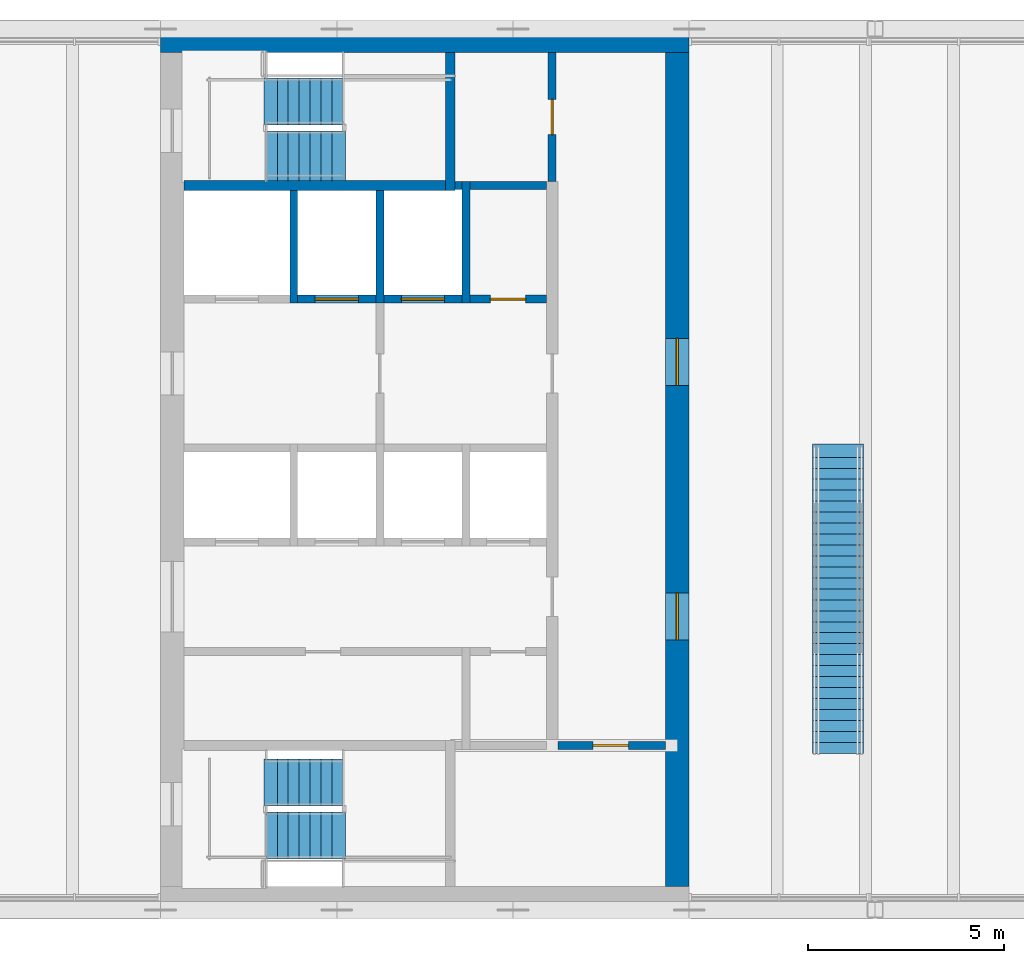
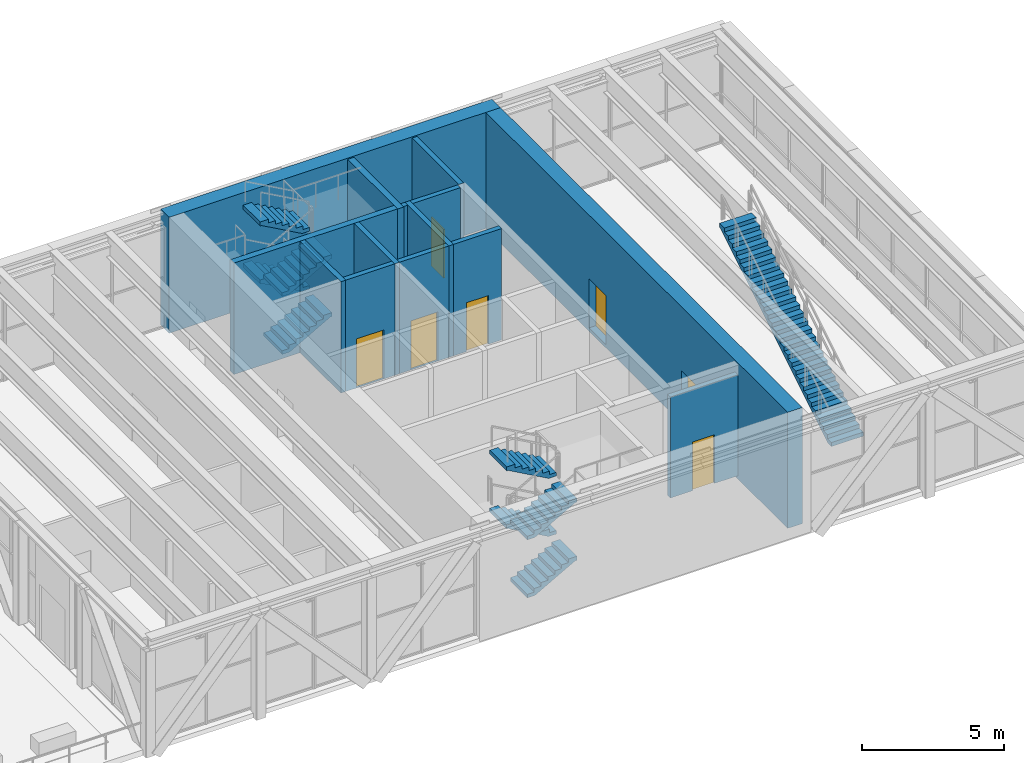
# One storey, part 9 of 13: 14 walls, 9 stair flights, 7 doors, 7 openings, 3 elements without a shape of their own.
"""IFC4 building model written with IfcOpenShell, lengths in metres."""

import ifcopenshell
import ifcopenshell.guid

model = None  # the IFC model being written
_history = None  # IfcOwnerHistory: only IFC2X3 demands one
_inside = {}  # id of a spatial element -> (the spatial element, [elements in it])
_under = {}  # id of a project, library or spatial element -> (it, [spatial elements below it])
_declared = {}  # id of a project -> (the project, [libraries it declares])
_typed = {}  # id of a type object -> (the type object, [elements of that type])
_made_of = {}  # id of a material, layer set ... -> (it, [elements and type objects made of it])


def new_model(schema):
    """Start an empty IFC model of exactly this schema.

    Asked for "IFC4X3", IfcOpenShell would pick the latest addendum, in which some entities
    have other attributes; the version numbers below select the first issue.
    IFC2X3 requires an IfcOwnerHistory on every rooted entity: one is made here for all.
    """
    global model, _history
    if schema == "IFC4X3":
        model = ifcopenshell.file(schema_version=(4, 3, 0, 0))
    else:
        model = ifcopenshell.file(schema=schema)
    _inside.clear()
    _under.clear()
    _declared.clear()
    _typed.clear()
    _made_of.clear()
    _history = None
    if model.schema == "IFC2X3":
        org = make("IfcOrganization", Name="unknown")
        user = make(
            "IfcPersonAndOrganization",
            ThePerson=make("IfcPerson", FamilyName="unknown"),
            TheOrganization=org,
        )
        app = make(
            "IfcApplication",
            ApplicationDeveloper=org,
            Version="unknown",
            ApplicationFullName="unknown",
            ApplicationIdentifier="unknown",
        )
        _history = make(
            "IfcOwnerHistory",
            OwningUser=user,
            OwningApplication=app,
            ChangeAction="ADDED",
            CreationDate=0,
        )
    return model


def make(cls, **values):
    """One entity of the class cls with the attributes given. An attribute that is None is left unset."""
    return model.create_entity(
        cls, **{name: value for name, value in values.items() if value is not None}
    )


def rooted(cls, **values):
    """An entity with a GlobalId (a new one), such as an element, a storey or a relation."""
    return make(cls, GlobalId=ifcopenshell.guid.new(), OwnerHistory=_history, **values)


def si_unit(unit_type, name, prefix=None):
    """IfcSIUnit, for example si_unit("LENGTHUNIT", "METRE", prefix="MILLI")."""
    return make("IfcSIUnit", UnitType=unit_type, Prefix=prefix, Name=name)


def assignment(units):
    """IfcUnitAssignment: the units of a project."""
    return None if units is None else make("IfcUnitAssignment", Units=units)


def point(xyz):
    """IfcCartesianPoint."""
    return None if xyz is None else make("IfcCartesianPoint", Coordinates=xyz)


def direction(xyz):
    """IfcDirection."""
    return None if xyz is None else make("IfcDirection", DirectionRatios=xyz)


def frame(location, z_axis=None, x_axis=None):
    """IfcAxis2Placement3D, a coordinate frame: its origin and axes. An axis left out is left unset."""
    return make(
        "IfcAxis2Placement3D",
        Location=point(location),
        Axis=direction(z_axis),
        RefDirection=direction(x_axis),
    )


def frame_2d(location, x_axis=None):
    """IfcAxis2Placement2D, a coordinate frame in the plane: its origin and x axis."""
    return make(
        "IfcAxis2Placement2D", Location=point(location), RefDirection=direction(x_axis)
    )


def origin():
    """The frame at (0, 0, 0) with its axes left unset."""
    return frame((0.0, 0.0, 0.0))


def place(relative_to, where):
    """IfcLocalPlacement: puts the frame where relative to a parent placement (None: the world)."""
    return make(
        "IfcLocalPlacement", PlacementRelTo=relative_to, RelativePlacement=where
    )


def context(
    kind, dimensions, precision=None, world=None, true_north=None, identifier=None
):
    """IfcGeometricRepresentationContext, for example the 3D "Model" context."""
    return make(
        "IfcGeometricRepresentationContext",
        ContextIdentifier=identifier,
        ContextType=kind,
        CoordinateSpaceDimension=dimensions,
        Precision=precision,
        WorldCoordinateSystem=world,
        TrueNorth=true_north,
    )


def subcontext(parent, identifier, kind, view, scale=None):
    """IfcGeometricRepresentationSubContext, for example "Body" below "Model"."""
    return make(
        "IfcGeometricRepresentationSubContext",
        ContextIdentifier=identifier,
        ContextType=kind,
        ParentContext=parent,
        TargetScale=scale,
        TargetView=view,
    )


def project(units=None, contexts=None):
    """IfcProject with its units and contexts."""
    return rooted(
        "IfcProject",
        Name="project",
        RepresentationContexts=contexts,
        UnitsInContext=assignment(units),
    )


def spatial(cls, under=None, at=None, **own):
    """A site, building, storey or space (cls), placed at a placement, below another one or the project."""
    s = rooted(cls, ObjectPlacement=at, **own)
    if under is not None:
        _under.setdefault(under.id(), (under, []))[1].append(s)
    return s


def polyline(points):
    """IfcPolyline through the points."""
    return make("IfcPolyline", Points=[point(p) for p in points])


def profile(cls, at=None, kind="AREA", **sizes):
    """A parametric profile (cls). Its sizes go by their IFC names, for example OverallWidth=200.0."""
    return make(cls, ProfileType=kind, Position=at, **sizes)


def rectangle(**sizes):
    """IfcRectangleProfileDef."""
    return profile("IfcRectangleProfileDef", **sizes)


def outline(outer, holes=None, kind="AREA"):
    """IfcArbitraryClosedProfileDef: a profile drawn as a closed curve; with holes, ...WithVoids."""
    if holes is None:
        return make("IfcArbitraryClosedProfileDef", ProfileType=kind, OuterCurve=outer)
    return make(
        "IfcArbitraryProfileDefWithVoids",
        ProfileType=kind,
        OuterCurve=outer,
        InnerCurves=holes,
    )


def extrude(swept, where, along, depth):
    """IfcExtrudedAreaSolid: the profile swept, set in the frame where, extruded along a direction by depth."""
    return make(
        "IfcExtrudedAreaSolid",
        SweptArea=swept,
        Position=where,
        ExtrudedDirection=direction(along),
        Depth=depth,
    )


def shape(context_of_items, identifier, shape_type, items):
    """IfcShapeRepresentation: the items that make up one representation, for example the "Body"."""
    return make(
        "IfcShapeRepresentation",
        ContextOfItems=context_of_items,
        RepresentationIdentifier=identifier,
        RepresentationType=shape_type,
        Items=items,
    )


def material(Name=None, Category=None):
    """IfcMaterial."""
    return make("IfcMaterial", Name=Name, Category=Category)


def layer(
    of_material, thickness, ventilated=None, Name=None, Category=None, Priority=None
):
    """IfcMaterialLayer: one layer of a wall or slab, of a material (None: an air gap)."""
    return make(
        "IfcMaterialLayer",
        Material=of_material,
        LayerThickness=thickness,
        IsVentilated=ventilated,
        Name=Name,
        Category=Category,
        Priority=Priority,
    )


def layer_set(layers, Name=None):
    """IfcMaterialLayerSet."""
    return make("IfcMaterialLayerSet", MaterialLayers=layers, LayerSetName=Name)


def made_of(thing, what):
    """Note that an element or type object is made of a material, layer set ...; save() writes the relation."""
    if what is not None:
        _made_of.setdefault(what.id(), (what, []))[1].append(thing)
    return thing


def type_object(cls, material=None, **own):
    """A type object (cls), such as IfcWallType, which elements share."""
    return made_of(rooted(cls, **own), material)


def element(
    cls,
    number,
    at=None,
    inside=None,
    cuts=None,
    type_object=None,
    material=None,
    context=None,
    identifier="Body",
    shape_type=None,
    held_by="IfcProductDefinitionShape",
    body=None,
    shapes=None,
    **own,
):
    """One element of the class cls, such as IfcWall. Its Tag is "e" and its number.

    at: its placement. inside: the storey or other place that contains it. cuts: it is an
    opening in that element (IfcRelVoidsElement). A single representation is given by context,
    identifier, shape_type and body (its items); several are given by shapes. held_by: the class
    of the entity that holds the representations. save() writes the other relations.
    """
    e = rooted(cls, Tag="e%d" % number, ObjectPlacement=at, **own)
    if body is not None:
        shapes = [shape(context, identifier, shape_type, body)]
    if shapes is not None:
        e.Representation = make(held_by, Representations=shapes)
    if inside is not None:
        _inside.setdefault(inside.id(), (inside, []))[1].append(e)
    if cuts is not None:
        rooted(
            "IfcRelVoidsElement", RelatingBuildingElement=cuts, RelatedOpeningElement=e
        )
    if type_object is not None:
        _typed.setdefault(type_object.id(), (type_object, []))[1].append(e)
    return made_of(e, material)


def fill(opening, filler):
    """IfcRelFillsElement: the door or window that sits in an opening."""
    return rooted(
        "IfcRelFillsElement",
        RelatingOpeningElement=opening,
        RelatedBuildingElement=filler,
    )


def aggregate(whole, parts):
    """IfcRelAggregates: a whole, such as a stair, and the parts it consists of."""
    return rooted("IfcRelAggregates", RelatingObject=whole, RelatedObjects=parts)


def save(model, path):
    """Write the relations noted so far, then the file.

    IfcRelAggregates (storeys below a building ...), IfcRelContainedInSpatialStructure (elements
    in a storey), IfcRelDefinesByType, IfcRelAssociatesMaterial and IfcRelDeclares: one each for
    every whole, place, type object, material and project.
    """
    for whole, parts in _under.values():
        aggregate(whole, parts)
    for where, things in _inside.values():
        rooted(
            "IfcRelContainedInSpatialStructure",
            RelatedElements=things,
            RelatingStructure=where,
        )
    for kind, things in _typed.values():
        rooted("IfcRelDefinesByType", RelatedObjects=things, RelatingType=kind)
    for what, things in _made_of.values():
        rooted("IfcRelAssociatesMaterial", RelatedObjects=things, RelatingMaterial=what)
    for by, libraries in _declared.values():
        rooted("IfcRelDeclares", RelatingContext=by, RelatedDefinitions=libraries)
    model.write(path)


model = new_model("IFC4")

# Units and contexts
model_context = context("Model", 3, precision=1e-05, world=origin(), true_north=direction((0.0, 1.0)))
body_context = subcontext(model_context, "Body", "Model", "MODEL_VIEW")
ifc_project = project(units=[si_unit("LENGTHUNIT", "METRE"), si_unit("AREAUNIT", "SQUARE_METRE"), si_unit("VOLUMEUNIT", "CUBIC_METRE"), si_unit("PLANEANGLEUNIT", "RADIAN"), si_unit("MASSUNIT", "GRAM", prefix="KILO")], contexts=[model_context])

# Site, building, storey
site_placement = place(None, origin())
site = spatial("IfcSite", under=ifc_project, at=site_placement, CompositionType="ELEMENT")
building_placement = place(site_placement, origin())
building = spatial("IfcBuilding", under=site, at=building_placement, Name="Sennacour Bend Tower", CompositionType="ELEMENT")
storey_placement = place(building_placement, frame((0.0, 0.0, 345.5)))
storey = spatial("IfcBuildingStorey", under=building, at=storey_placement, Name="L79", CompositionType="ELEMENT", Elevation=345.5)

# Wall
ifc_material_1 = material(Name="Concrete C50/60", Category="concrete")
ifc_layer_1 = layer(ifc_material_1, 0.60009765625, Name="Concrete C50/60", Category="concrete")
ifc_layer_set_1 = layer_set([ifc_layer_1], Name="Concrete C50/60")
wall_type_1 = type_object("IfcWallType", Name="Core wall 600 C50/60", PredefinedType="SHEAR", material=ifc_layer_set_1)
wall_1_placement = place(storey_placement, frame((54.0, 22.199951171875, -0.14990234375), z_axis=(0.0, 0.0, 1.0), x_axis=(1.0, 0.0, 0.0)))
element("IfcWall", 1, at=wall_1_placement, inside=storey, type_object=wall_type_1, Name="Core A wall L79 N", PredefinedType="SHEAR", context=body_context, shape_type="SweptSolid", body=[
    extrude(rectangle(XDim=13.5, YDim=0.60009765625, at=frame_2d((6.75, 0.0))), origin(), (0.0, 0.0, 1.0), 5.0),
])

# Wall, openings, doors
wall_2_placement = place(storey_placement, frame((67.199951171875, 0.60009765625, -0.14990234375), z_axis=(0.0, 0.0, 1.0), x_axis=(0.0, 1.0, 0.0)))
wall_2 = element("IfcWall", 2, at=wall_2_placement, inside=storey, type_object=wall_type_1, Name="Core A wall L79 E", PredefinedType="SHEAR", context=body_context, shape_type="SweptSolid", body=[
    extrude(rectangle(XDim=21.2998046875, YDim=0.60009765625, at=frame_2d((10.64990234375, 0.0))), origin(), (0.0, 0.0, 1.0), 5.0),
])
opening_1_placement = place(wall_2_placement, frame((6.300048828125, 0.0, 0.14990234375)))
opening_1 = element("IfcOpeningElement", 3, at=opening_1_placement, cuts=wall_2, Name="Opening ED", PredefinedType="OPENING", context=body_context, shape_type="SweptSolid", body=[
    extrude(rectangle(XDim=1.199951171875, YDim=2.10009765625, at=frame_2d((0.60009765625, 1.050048828125))), frame((0.0, 0.31005859375, 0.0), z_axis=(0.0, -1.0, 0.0), x_axis=(1.0, 0.0, 0.0)), (0.0, 0.0, 1.0), 0.6201171875),
])
opening_2_placement = place(wall_2_placement, frame((12.800048828125, 0.0, 0.14990234375)))
opening_2 = element("IfcOpeningElement", 4, at=opening_2_placement, cuts=wall_2, Name="Opening ED", PredefinedType="OPENING", context=body_context, shape_type="SweptSolid", body=[
    extrude(rectangle(XDim=1.199951171875, YDim=2.10009765625, at=frame_2d((0.60009765625, 1.050048828125))), frame((0.0, 0.31005859375, 0.0), z_axis=(0.0, -1.0, 0.0), x_axis=(1.0, 0.0, 0.0)), (0.0, 0.0, 1.0), 0.6201171875),
])
ifc_material_2 = material(Name="Painted steel", Category="steel")
door_type_1 = type_object("IfcDoorType", Name="DR-EAST-1200", OperationType="NOTDEFINED", PredefinedType="DOOR", material=ifc_material_2)
door_1_placement = place(opening_1_placement, origin())
door_1 = element("IfcDoor", 5, at=door_1_placement, inside=storey, type_object=door_type_1, Name="Door", OperationType="SINGLE_SWING_LEFT", OverallHeight=2.10009765625, OverallWidth=1.199951171875, PredefinedType="DOOR", context=body_context, shape_type="SweptSolid", body=[
    extrude(rectangle(XDim=1.199951171875, YDim=2.10009765625, at=frame_2d((0.60009765625, 1.050048828125))), frame((0.0, 0.02490234375, 0.0), z_axis=(0.0, -1.0, 0.0), x_axis=(1.0, 0.0, 0.0)), (0.0, 0.0, 1.0), 0.050048828125),
])
fill(opening_1, door_1)
door_2_placement = place(opening_2_placement, origin())
door_2 = element("IfcDoor", 6, at=door_2_placement, inside=storey, type_object=door_type_1, Name="Door", OperationType="SINGLE_SWING_RIGHT", OverallHeight=2.10009765625, OverallWidth=1.199951171875, PredefinedType="DOOR", context=body_context, shape_type="SweptSolid", body=[
    extrude(rectangle(XDim=1.199951171875, YDim=2.10009765625, at=frame_2d((0.60009765625, 1.050048828125))), frame((0.0, 0.02490234375, 0.0), z_axis=(0.0, -1.0, 0.0), x_axis=(1.0, 0.0, 0.0)), (0.0, 0.0, 1.0), 0.050048828125),
])
fill(opening_2, door_2)

# Wall, opening, door
ifc_material_3 = material(Name="Fire-rated plasterboard partition on steel studs", Category="steel")
ifc_layer_2 = layer(ifc_material_3, 0.199951171875, Name="Fire-rated plasterboard partition on steel studs", Category="steel")
ifc_layer_set_2 = layer_set([ifc_layer_2], Name="Fire-rated plasterboard partition on steel studs")
wall_type_2 = type_object("IfcWallType", Name="Rated partition 200", PredefinedType="PARTITIONING", material=ifc_layer_set_2)
wall_3_placement = place(storey_placement, frame((64.0, 18.60009765625, 0.0), z_axis=(0.0, 0.0, 1.0), x_axis=(0.0, 1.0, 0.0)))
wall_3 = element("IfcWall", 7, at=wall_3_placement, inside=storey, type_object=wall_type_2, Name="P-L79-W019", PredefinedType="PARTITIONING", context=body_context, shape_type="SweptSolid", body=[
    extrude(rectangle(XDim=3.2998046875, YDim=0.199951171875, at=frame_2d((1.64990234375, 0.0))), origin(), (0.0, 0.0, 1.0), 4.800048828125),
])
opening_3_placement = place(wall_3_placement, frame((1.199951171875, 0.0, 0.0)))
opening_3 = element("IfcOpeningElement", 8, at=opening_3_placement, cuts=wall_3, Name="Opening SV", PredefinedType="OPENING", context=body_context, shape_type="SweptSolid", body=[
    extrude(rectangle(XDim=0.89990234375, YDim=2.10009765625, at=frame_2d((0.449951171875, 1.050048828125))), frame((0.0, 0.10986328125, 0.0), z_axis=(0.0, -1.0, 0.0), x_axis=(1.0, 0.0, 0.0)), (0.0, 0.0, 1.0), 0.219970703125),
])
door_type_2 = type_object("IfcDoorType", Name="DR-SERVICE-900", OperationType="NOTDEFINED", PredefinedType="DOOR", material=ifc_material_2)
door_3_placement = place(opening_3_placement, origin())
door_3 = element("IfcDoor", 9, at=door_3_placement, inside=storey, type_object=door_type_2, Name="Door", OperationType="SINGLE_SWING_LEFT", OverallHeight=2.10009765625, OverallWidth=0.89990234375, PredefinedType="DOOR", context=body_context, shape_type="SweptSolid", body=[
    extrude(rectangle(XDim=0.89990234375, YDim=2.10009765625, at=frame_2d((0.449951171875, 1.050048828125))), frame((0.0, 0.02490234375, 0.0), z_axis=(0.0, -1.0, 0.0), x_axis=(1.0, 0.0, 0.0)), (0.0, 0.0, 1.0), 0.050048828125),
])
fill(opening_3, door_3)

wall_4_placement = place(storey_placement, frame((64.14990234375, 4.199951171875, 0.0), z_axis=(0.0, 0.0, 1.0), x_axis=(1.0, 0.0, 0.0)))
wall_4 = element("IfcWall", 10, at=wall_4_placement, inside=storey, type_object=wall_type_2, Name="P-L79-W028c", PredefinedType="PARTITIONING", context=body_context, shape_type="SweptSolid", body=[
    extrude(rectangle(XDim=2.75, YDim=0.199951171875, at=frame_2d((1.375, 0.0))), origin(), (0.0, 0.0, 1.0), 4.35009765625),
])
opening_4_placement = place(wall_4_placement, frame((0.900146484375, 0.0, 0.0)))
opening_4 = element("IfcOpeningElement", 11, at=opening_4_placement, cuts=wall_4, Name="Opening SV", PredefinedType="OPENING", context=body_context, shape_type="SweptSolid", body=[
    extrude(rectangle(XDim=0.89990234375, YDim=2.10009765625, at=frame_2d((0.449951171875, 1.050048828125))), frame((0.0, 0.10986328125, 0.0), z_axis=(0.0, -1.0, 0.0), x_axis=(1.0, 0.0, 0.0)), (0.0, 0.0, 1.0), 0.219970703125),
])
door_4_placement = place(opening_4_placement, origin())
door_4 = element("IfcDoor", 12, at=door_4_placement, inside=storey, type_object=door_type_2, Name="Door", OperationType="SINGLE_SWING_LEFT", OverallHeight=2.10009765625, OverallWidth=0.89990234375, PredefinedType="DOOR", context=body_context, shape_type="SweptSolid", body=[
    extrude(rectangle(XDim=0.89990234375, YDim=2.10009765625, at=frame_2d((0.449951171875, 1.050048828125))), frame((0.0, 0.02490234375, 0.0), z_axis=(0.0, -1.0, 0.0), x_axis=(1.0, 0.0, 0.0)), (0.0, 0.0, 1.0), 0.050048828125),
])
fill(opening_4, door_4)

wall_5_placement = place(storey_placement, frame((61.89990234375, 15.60009765625, 0.0), z_axis=(0.0, 0.0, 1.0), x_axis=(1.0, 0.0, 0.0)))
wall_5 = element("IfcWall", 13, at=wall_5_placement, inside=storey, type_object=wall_type_2, Name="P-L79-W036", PredefinedType="PARTITIONING", context=body_context, shape_type="SweptSolid", body=[
    extrude(rectangle(XDim=1.9501953125, YDim=0.199951171875, at=frame_2d((0.97509765625, 0.0))), origin(), (0.0, 0.0, 1.0), 4.800048828125),
])
opening_5_placement = place(wall_5_placement, frame((0.525146484375, 0.0, 0.0)))
opening_5 = element("IfcOpeningElement", 14, at=opening_5_placement, cuts=wall_5, Name="Opening SV", PredefinedType="OPENING", context=body_context, shape_type="SweptSolid", body=[
    extrude(rectangle(XDim=0.89990234375, YDim=2.10009765625, at=frame_2d((0.449951171875, 1.050048828125))), frame((0.0, 0.10986328125, 0.0), z_axis=(0.0, -1.0, 0.0), x_axis=(1.0, 0.0, 0.0)), (0.0, 0.0, 1.0), 0.219970703125),
])
door_5_placement = place(opening_5_placement, origin())
door_5 = element("IfcDoor", 15, at=door_5_placement, inside=storey, type_object=door_type_2, Name="Door", OperationType="SINGLE_SWING_LEFT", OverallHeight=2.10009765625, OverallWidth=0.89990234375, PredefinedType="DOOR", context=body_context, shape_type="SweptSolid", body=[
    extrude(rectangle(XDim=0.89990234375, YDim=2.10009765625, at=frame_2d((0.449951171875, 1.050048828125))), frame((0.0, 0.02490234375, 0.0), z_axis=(0.0, -1.0, 0.0), x_axis=(1.0, 0.0, 0.0)), (0.0, 0.0, 1.0), 0.050048828125),
])
fill(opening_5, door_5)

# Walls
wall_6_placement = place(storey_placement, frame((61.89990234375, 18.5, 0.0), z_axis=(0.0, 0.0, 1.0), x_axis=(1.0, 0.0, 0.0)))
element("IfcWall", 16, at=wall_6_placement, inside=storey, type_object=wall_type_2, Name="P-L79-W039", PredefinedType="PARTITIONING", context=body_context, shape_type="SweptSolid", body=[
    extrude(rectangle(XDim=1.9501953125, YDim=0.199951171875, at=frame_2d((0.97509765625, 0.0))), origin(), (0.0, 0.0, 1.0), 4.800048828125),
])
ifc_layer_3 = layer(ifc_material_1, 0.199951171875, Name="Concrete C50/60", Category="concrete")
ifc_layer_set_3 = layer_set([ifc_layer_3], Name="Concrete C50/60")
wall_type_3 = type_object("IfcWallType", Name="Shaft wall 200", PredefinedType="SOLIDWALL", material=ifc_layer_set_3)
for number, where, z_axis, x_axis, name in (
    (17, (57.39990234375, 15.5, 0.0), (0.0, 0.0, 1.0), (0.0, 1.0, 0.0), "P-L79-W009"),
    (18, (59.60009765625, 15.5, 0.0), (0.0, 0.0, 1.0), (0.0, 1.0, 0.0), "P-L79-W012"),
):
    element("IfcWall", number, at=place(storey_placement, frame(where, z_axis=z_axis, x_axis=x_axis)), inside=storey, type_object=wall_type_3, Name=name, PredefinedType="SOLIDWALL", context=body_context, shape_type="SweptSolid", body=[
        extrude(rectangle(XDim=2.875, YDim=0.199951171875, at=frame_2d((1.4375, 0.0))), origin(), (0.0, 0.0, 1.0), 4.800048828125),
    ])
wall_7_placement = place(storey_placement, frame((61.800048828125, 15.5, 0.0), z_axis=(0.0, 0.0, 1.0), x_axis=(0.0, 1.0, 0.0)))
element("IfcWall", 19, at=wall_7_placement, inside=storey, type_object=wall_type_3, Name="P-L79-W017", PredefinedType="SOLIDWALL", context=body_context, shape_type="SweptSolid", body=[
    extrude(rectangle(XDim=3.10009765625, YDim=0.199951171875, at=frame_2d((1.550048828125, 0.0))), origin(), (0.0, 0.0, 1.0), 4.800048828125),
])

# Wall, opening, door
wall_8_placement = place(storey_placement, frame((57.5, 15.60009765625, 0.0), z_axis=(0.0, 0.0, 1.0), x_axis=(1.0, 0.0, 0.0)))
wall_8 = element("IfcWall", 20, at=wall_8_placement, inside=storey, type_object=wall_type_3, Name="P-L79-W035b", PredefinedType="SOLIDWALL", context=body_context, shape_type="SweptSolid", body=[
    extrude(rectangle(XDim=2.0, YDim=0.199951171875, at=frame_2d((1.0, 0.0))), origin(), (0.0, 0.0, 1.0), 4.800048828125),
])
opening_6_placement = place(wall_8_placement, frame((0.449951171875, 0.0, 0.011962890625)))
opening_6 = element("IfcOpeningElement", 21, at=opening_6_placement, cuts=wall_8, Name="Opening FLD", PredefinedType="OPENING", context=body_context, shape_type="SweptSolid", body=[
    extrude(rectangle(XDim=1.10009765625, YDim=2.10009765625, at=frame_2d((0.550048828125, 1.050048828125))), frame((0.0, 0.10986328125, 0.0), z_axis=(0.0, -1.0, 0.0), x_axis=(1.0, 0.0, 0.0)), (0.0, 0.0, 1.0), 0.219970703125),
])
ifc_material_4 = material(Name="Stainless steel", Category="steel")
door_type_3 = type_object("IfcDoorType", Name="DR-FF-LANDING-1100", OperationType="NOTDEFINED", PredefinedType="DOOR", material=ifc_material_4)
door_6_placement = place(opening_6_placement, origin())
door_6 = element("IfcDoor", 22, at=door_6_placement, inside=storey, type_object=door_type_3, Name="Fire service lift landing door FA2", OperationType="SLIDING_TO_RIGHT", OverallHeight=2.10009765625, OverallWidth=1.10009765625, PredefinedType="DOOR", context=body_context, shape_type="SweptSolid", body=[
    extrude(rectangle(XDim=1.10009765625, YDim=2.10009765625, at=frame_2d((0.550048828125, 1.050048828125))), frame((0.0, 0.02490234375, 0.0), z_axis=(0.0, -1.0, 0.0), x_axis=(1.0, 0.0, 0.0)), (0.0, 0.0, 1.0), 0.050048828125),
])
fill(opening_6, door_6)

wall_9_placement = place(storey_placement, frame((59.699951171875, 15.60009765625, 0.0), z_axis=(0.0, 0.0, 1.0), x_axis=(1.0, 0.0, 0.0)))
wall_9 = element("IfcWall", 23, at=wall_9_placement, inside=storey, type_object=wall_type_3, Name="P-L79-W035c", PredefinedType="SOLIDWALL", context=body_context, shape_type="SweptSolid", body=[
    extrude(rectangle(XDim=2.0, YDim=0.199951171875, at=frame_2d((1.0, 0.0))), origin(), (0.0, 0.0, 1.0), 4.800048828125),
])
opening_7_placement = place(wall_9_placement, frame((0.449951171875, 0.0, 0.011962890625)))
opening_7 = element("IfcOpeningElement", 24, at=opening_7_placement, cuts=wall_9, Name="Opening LD", PredefinedType="OPENING", context=body_context, shape_type="SweptSolid", body=[
    extrude(rectangle(XDim=1.10009765625, YDim=2.10009765625, at=frame_2d((0.550048828125, 1.050048828125))), frame((0.0, 0.10986328125, 0.0), z_axis=(0.0, -1.0, 0.0), x_axis=(1.0, 0.0, 0.0)), (0.0, 0.0, 1.0), 0.219970703125),
])
door_type_4 = type_object("IfcDoorType", Name="DR-LANDING-1100", OperationType="NOTDEFINED", PredefinedType="DOOR", material=ifc_material_4)
door_7_placement = place(opening_7_placement, origin())
door_7 = element("IfcDoor", 25, at=door_7_placement, inside=storey, type_object=door_type_4, Name="Lift landing door HA5", OperationType="SLIDING_TO_LEFT", OverallHeight=2.10009765625, OverallWidth=1.10009765625, PredefinedType="DOOR", context=body_context, shape_type="SweptSolid", body=[
    extrude(rectangle(XDim=1.10009765625, YDim=2.10009765625, at=frame_2d((0.550048828125, 1.050048828125))), frame((0.0, 0.02490234375, 0.0), z_axis=(0.0, -1.0, 0.0), x_axis=(1.0, 0.0, 0.0)), (0.0, 0.0, 1.0), 0.050048828125),
])
fill(opening_7, door_7)

# Walls
wall_10_placement = place(storey_placement, frame((61.52490234375, 18.5, 0.0), z_axis=(0.0, 0.0, 1.0), x_axis=(1.0, 0.0, 0.0)))
element("IfcWall", 26, at=wall_10_placement, inside=storey, type_object=wall_type_3, Name="P-L79-W038", PredefinedType="SOLIDWALL", context=body_context, shape_type="SweptSolid", body=[
    extrude(rectangle(XDim=0.175048828125, YDim=0.199951171875, at=frame_2d((0.08740234375, 0.0))), origin(), (0.0, 0.0, 1.0), 4.800048828125),
])
ifc_material_5 = material(Name="Concrete C60/75", Category="concrete")
ifc_layer_4 = layer(ifc_material_5, 0.25, Name="Concrete C60/75", Category="concrete")
ifc_layer_set_4 = layer_set([ifc_layer_4], Name="Concrete C60/75")
wall_type_4 = type_object("IfcWallType", Name="Stair wall 250", PredefinedType="SHEAR", material=ifc_layer_set_4)
wall_11_placement = place(storey_placement, frame((61.39990234375, 18.375, 0.0), z_axis=(0.0, 0.0, 1.0), x_axis=(0.0, 1.0, 0.0)))
element("IfcWall", 27, at=wall_11_placement, inside=storey, type_object=wall_type_4, Name="P-L79-W014", PredefinedType="SHEAR", context=body_context, shape_type="SweptSolid", body=[
    extrude(rectangle(XDim=3.52490234375, YDim=0.25, at=frame_2d((1.762451171875, 0.0))), origin(), (0.0, 0.0, 1.0), 4.800048828125),
])
wall_12_placement = place(storey_placement, frame((54.60009765625, 18.5, 0.0), z_axis=(0.0, 0.0, 1.0), x_axis=(1.0, 0.0, 0.0)))
element("IfcWall", 28, at=wall_12_placement, inside=storey, type_object=wall_type_4, Name="P-L79-W037", PredefinedType="SHEAR", context=body_context, shape_type="SweptSolid", body=[
    extrude(rectangle(XDim=6.6748046875, YDim=0.25, at=frame_2d((3.33740234375, 0.0))), origin(), (0.0, 0.0, 1.0), 4.800048828125),
])

# Stair, stair flights
ifc_material_6 = material(Name="Concrete C40/50", Category="concrete")
stair_type_1 = type_object("IfcStairType", Name="ST-DOGLEG", PredefinedType="HALF_TURN_STAIR", material=ifc_material_6)
stair_1_placement = place(storey_placement, origin())
stair_1 = element("IfcStair", 29, at=stair_1_placement, inside=storey, type_object=stair_type_1, Name="L79 Exit stair A1", PredefinedType="HALF_TURN_STAIR")
stair_flight_type_1 = type_object("IfcStairFlightType", Name="SFL-RC", PredefinedType="STRAIGHT", material=ifc_material_6)
stair_flight_1_placement = place(storey_placement, frame((56.699951171875, 1.89990234375, 0.0), z_axis=(0.0, 0.0, 1.0), x_axis=(1.0, 0.0, 0.0)))
stair_flight_1 = element("IfcStairFlight", 30, at=stair_flight_1_placement, type_object=stair_flight_type_1, Name="SA1 flight 1", NumberOfRisers=8, NumberOfTreads=7, PredefinedType="STRAIGHT", RiserHeight=0.15625, TreadLength=0.28, context=body_context, shape_type="SweptSolid", body=[
    extrude(outline(polyline([(0.0, 0.0), (0.0, 0.15625), (0.280029296875, 0.15625), (0.280029296875, 0.3125), (0.56005859375, 0.3125), (0.56005859375, 0.46875), (0.840087890625, 0.46875), (0.840087890625, 0.625), (1.1201171875, 0.625), (1.1201171875, 0.78125), (1.39990234375, 0.78125), (1.39990234375, 0.9375), (1.679931640625, 0.9375), (1.679931640625, 1.09375), (1.9599609375, 1.09375), (2.02001953125, 1.09375), (2.02001953125, 0.922119140625), (1.9599609375, 0.922119140625), (0.3076171875, 0.0), (0.0, 0.0)])), frame((0.0, 0.60009765625, 0.0), z_axis=(0.0, -1.0, 0.0), x_axis=(1.0, 0.0, 0.0)), (0.0, 0.0, 1.0), 1.199951171875),
])
stair_flight_2_placement = place(storey_placement, frame((58.659912109375, 3.25, 1.25), z_axis=(0.0, 0.0, 1.0), x_axis=(-1.0, 0.0, 0.0)))
stair_flight_2 = element("IfcStairFlight", 31, at=stair_flight_2_placement, type_object=stair_flight_type_1, Name="SA1 flight 2", NumberOfRisers=8, NumberOfTreads=7, PredefinedType="STRAIGHT", RiserHeight=0.15625, TreadLength=0.28, context=body_context, shape_type="SweptSolid", body=[
    extrude(outline(polyline([(0.0, 0.0), (0.0, 0.15625), (0.280029296875, 0.15625), (0.280029296875, 0.3125), (0.56005859375, 0.3125), (0.56005859375, 0.46875), (0.840087890625, 0.46875), (0.840087890625, 0.625), (1.1201171875, 0.625), (1.1201171875, 0.78125), (1.39990234375, 0.78125), (1.39990234375, 0.9375), (1.679931640625, 0.9375), (1.679931640625, 1.09375), (1.9599609375, 1.09375), (2.02001953125, 1.09375), (2.02001953125, 0.922119140625), (1.9599609375, 0.922119140625), (0.3076171875, 0.0), (0.0, 0.0)])), frame((0.0, 0.60009765625, 0.0), z_axis=(0.0, -1.0, 0.0), x_axis=(1.0, 0.0, 0.0)), (0.0, 0.0, 1.0), 1.199951171875),
])
stair_flight_3_placement = place(storey_placement, frame((56.699951171875, 1.89990234375, 2.5), z_axis=(0.0, 0.0, 1.0), x_axis=(1.0, 0.0, 0.0)))
stair_flight_3 = element("IfcStairFlight", 32, at=stair_flight_3_placement, type_object=stair_flight_type_1, Name="SA1 flight 3", NumberOfRisers=8, NumberOfTreads=7, PredefinedType="STRAIGHT", RiserHeight=0.15625, TreadLength=0.28, context=body_context, shape_type="SweptSolid", body=[
    extrude(outline(polyline([(0.0, 0.0), (0.0, 0.15625), (0.280029296875, 0.15625), (0.280029296875, 0.3125), (0.56005859375, 0.3125), (0.56005859375, 0.46875), (0.840087890625, 0.46875), (0.840087890625, 0.625), (1.1201171875, 0.625), (1.1201171875, 0.78125), (1.39990234375, 0.78125), (1.39990234375, 0.9375), (1.679931640625, 0.9375), (1.679931640625, 1.09375), (1.9599609375, 1.09375), (2.02001953125, 1.09375), (2.02001953125, 0.922119140625), (1.9599609375, 0.922119140625), (0.3076171875, 0.0), (0.0, 0.0)])), frame((0.0, 0.60009765625, 0.0), z_axis=(0.0, -1.0, 0.0), x_axis=(1.0, 0.0, 0.0)), (0.0, 0.0, 1.0), 1.199951171875),
])
stair_flight_4_placement = place(storey_placement, frame((58.659912109375, 3.25, 3.75), z_axis=(0.0, 0.0, 1.0), x_axis=(-1.0, 0.0, 0.0)))
stair_flight_4 = element("IfcStairFlight", 33, at=stair_flight_4_placement, type_object=stair_flight_type_1, Name="SA1 flight 4", NumberOfRisers=8, NumberOfTreads=7, PredefinedType="STRAIGHT", RiserHeight=0.15625, TreadLength=0.28, context=body_context, shape_type="SweptSolid", body=[
    extrude(outline(polyline([(0.0, 0.0), (0.0, 0.15625), (0.280029296875, 0.15625), (0.280029296875, 0.3125), (0.56005859375, 0.3125), (0.56005859375, 0.46875), (0.840087890625, 0.46875), (0.840087890625, 0.625), (1.1201171875, 0.625), (1.1201171875, 0.78125), (1.39990234375, 0.78125), (1.39990234375, 0.9375), (1.679931640625, 0.9375), (1.679931640625, 1.09375), (1.9599609375, 1.09375), (2.02001953125, 1.09375), (2.02001953125, 0.922119140625), (1.9599609375, 0.922119140625), (0.3076171875, 0.0), (0.0, 0.0)])), frame((0.0, 0.60009765625, 0.0), z_axis=(0.0, -1.0, 0.0), x_axis=(1.0, 0.0, 0.0)), (0.0, 0.0, 1.0), 1.199951171875),
])
aggregate(stair_1, [stair_flight_1, stair_flight_2, stair_flight_3, stair_flight_4])

stair_2_placement = place(storey_placement, origin())
stair_2 = element("IfcStair", 34, at=stair_2_placement, inside=storey, type_object=stair_type_1, Name="L79 Exit stair A2", PredefinedType="HALF_TURN_STAIR")
stair_flight_5_placement = place(storey_placement, frame((56.699951171875, 19.24755859375, 0.0), z_axis=(0.0, 0.0, 1.0), x_axis=(1.0, 0.0, 0.0)))
stair_flight_5 = element("IfcStairFlight", 35, at=stair_flight_5_placement, type_object=stair_flight_type_1, Name="SA2 flight 1", NumberOfRisers=8, NumberOfTreads=7, PredefinedType="STRAIGHT", RiserHeight=0.15625, TreadLength=0.28, context=body_context, shape_type="SweptSolid", body=[
    extrude(outline(polyline([(0.0, 0.0), (0.0, 0.15625), (0.280029296875, 0.15625), (0.280029296875, 0.3125), (0.56005859375, 0.3125), (0.56005859375, 0.46875), (0.840087890625, 0.46875), (0.840087890625, 0.625), (1.1201171875, 0.625), (1.1201171875, 0.78125), (1.39990234375, 0.78125), (1.39990234375, 0.9375), (1.679931640625, 0.9375), (1.679931640625, 1.09375), (1.9599609375, 1.09375), (2.02001953125, 1.09375), (2.02001953125, 0.922119140625), (1.9599609375, 0.922119140625), (0.3076171875, 0.0), (0.0, 0.0)])), frame((0.0, 0.65234375, 0.0), z_axis=(0.0, -1.0, 0.0), x_axis=(1.0, 0.0, 0.0)), (0.0, 0.0, 1.0), 1.304931640625),
])
stair_flight_6_placement = place(storey_placement, frame((58.659912109375, 20.64990234375, 1.25), z_axis=(0.0, 0.0, 1.0), x_axis=(-1.0, 0.0, 0.0)))
stair_flight_6 = element("IfcStairFlight", 36, at=stair_flight_6_placement, type_object=stair_flight_type_1, Name="SA2 flight 2", NumberOfRisers=8, NumberOfTreads=7, PredefinedType="STRAIGHT", RiserHeight=0.15625, TreadLength=0.28, context=body_context, shape_type="SweptSolid", body=[
    extrude(outline(polyline([(0.0, 0.0), (0.0, 0.15625), (0.280029296875, 0.15625), (0.280029296875, 0.3125), (0.56005859375, 0.3125), (0.56005859375, 0.46875), (0.840087890625, 0.46875), (0.840087890625, 0.625), (1.1201171875, 0.625), (1.1201171875, 0.78125), (1.39990234375, 0.78125), (1.39990234375, 0.9375), (1.679931640625, 0.9375), (1.679931640625, 1.09375), (1.9599609375, 1.09375), (2.02001953125, 1.09375), (2.02001953125, 0.922119140625), (1.9599609375, 0.922119140625), (0.3076171875, 0.0), (0.0, 0.0)])), frame((0.0, 0.60009765625, 0.0), z_axis=(0.0, -1.0, 0.0), x_axis=(1.0, 0.0, 0.0)), (0.0, 0.0, 1.0), 1.199951171875),
])
stair_flight_7_placement = place(storey_placement, frame((56.699951171875, 19.24755859375, 2.5), z_axis=(0.0, 0.0, 1.0), x_axis=(1.0, 0.0, 0.0)))
stair_flight_7 = element("IfcStairFlight", 37, at=stair_flight_7_placement, type_object=stair_flight_type_1, Name="SA2 flight 3", NumberOfRisers=8, NumberOfTreads=7, PredefinedType="STRAIGHT", RiserHeight=0.15625, TreadLength=0.28, context=body_context, shape_type="SweptSolid", body=[
    extrude(outline(polyline([(0.0, 0.0), (0.0, 0.15625), (0.280029296875, 0.15625), (0.280029296875, 0.3125), (0.56005859375, 0.3125), (0.56005859375, 0.46875), (0.840087890625, 0.46875), (0.840087890625, 0.625), (1.1201171875, 0.625), (1.1201171875, 0.78125), (1.39990234375, 0.78125), (1.39990234375, 0.9375), (1.679931640625, 0.9375), (1.679931640625, 1.09375), (1.9599609375, 1.09375), (2.02001953125, 1.09375), (2.02001953125, 0.922119140625), (1.9599609375, 0.922119140625), (0.3076171875, 0.0), (0.0, 0.0)])), frame((0.0, 0.65234375, 0.0), z_axis=(0.0, -1.0, 0.0), x_axis=(1.0, 0.0, 0.0)), (0.0, 0.0, 1.0), 1.304931640625),
])
stair_flight_8_placement = place(storey_placement, frame((58.659912109375, 20.64990234375, 3.75), z_axis=(0.0, 0.0, 1.0), x_axis=(-1.0, 0.0, 0.0)))
stair_flight_8 = element("IfcStairFlight", 38, at=stair_flight_8_placement, type_object=stair_flight_type_1, Name="SA2 flight 4", NumberOfRisers=8, NumberOfTreads=7, PredefinedType="STRAIGHT", RiserHeight=0.15625, TreadLength=0.28, context=body_context, shape_type="SweptSolid", body=[
    extrude(outline(polyline([(0.0, 0.0), (0.0, 0.15625), (0.280029296875, 0.15625), (0.280029296875, 0.3125), (0.56005859375, 0.3125), (0.56005859375, 0.46875), (0.840087890625, 0.46875), (0.840087890625, 0.625), (1.1201171875, 0.625), (1.1201171875, 0.78125), (1.39990234375, 0.78125), (1.39990234375, 0.9375), (1.679931640625, 0.9375), (1.679931640625, 1.09375), (1.9599609375, 1.09375), (2.02001953125, 1.09375), (2.02001953125, 0.922119140625), (1.9599609375, 0.922119140625), (0.3076171875, 0.0), (0.0, 0.0)])), frame((0.0, 0.60009765625, 0.0), z_axis=(0.0, -1.0, 0.0), x_axis=(1.0, 0.0, 0.0)), (0.0, 0.0, 1.0), 1.199951171875),
])
aggregate(stair_2, [stair_flight_5, stair_flight_6, stair_flight_7, stair_flight_8])

# Stair, stair flight
ifc_material_7 = material(Name="Steel S355", Category="steel")
stair_type_2 = type_object("IfcStairType", Name="ST-STRAIGHT", PredefinedType="STRAIGHT_RUN_STAIR", material=ifc_material_7)
stair_3_placement = place(storey_placement, origin())
stair_3 = element("IfcStair", 39, at=stair_3_placement, inside=storey, type_object=stair_type_2, Name="L79 Lounge stair", PredefinedType="STRAIGHT_RUN_STAIR")
stair_flight_type_2 = type_object("IfcStairFlightType", Name="SFL-STEEL-1300", PredefinedType="STRAIGHT", material=ifc_material_7)
stair_flight_9_placement = place(storey_placement, frame((71.300048828125, 4.0, 0.0), z_axis=(0.0, 0.0, 1.0), x_axis=(0.0, 1.0, 0.0)))
stair_flight_9 = element("IfcStairFlight", 40, at=stair_flight_9_placement, type_object=stair_flight_type_2, Name="SL1 flight 1", NumberOfRisers=29, NumberOfTreads=28, PredefinedType="STRAIGHT", RiserHeight=0.172413793, TreadLength=0.28, context=body_context, shape_type="SweptSolid", body=[
    extrude(outline(polyline([(0.0, 0.0), (0.0, 0.17236328125), (0.280029296875, 0.17236328125), (0.280029296875, 0.3447265625), (0.56005859375, 0.3447265625), (0.56005859375, 0.517333984375), (0.840087890625, 0.517333984375), (0.840087890625, 0.689697265625), (1.1201171875, 0.689697265625), (1.1201171875, 0.862060546875), (1.39990234375, 0.862060546875), (1.39990234375, 1.034423828125), (1.679931640625, 1.034423828125), (1.679931640625, 1.206787109375), (1.9599609375, 1.206787109375), (1.9599609375, 1.37939453125), (2.239990234375, 1.37939453125), (2.239990234375, 1.5517578125), (2.52001953125, 1.5517578125), (2.52001953125, 1.72412109375), (2.800048828125, 1.72412109375), (2.800048828125, 1.896484375), (3.080078125, 1.896484375), (3.080078125, 2.06884765625), (3.360107421875, 2.06884765625), (3.360107421875, 2.241455078125), (3.639892578125, 2.241455078125), (3.639892578125, 2.413818359375), (3.919921875, 2.413818359375), (3.919921875, 2.586181640625), (4.199951171875, 2.586181640625), (4.199951171875, 2.758544921875), (4.47998046875, 2.758544921875), (4.47998046875, 2.93115234375), (4.760009765625, 2.93115234375), (4.760009765625, 3.103515625), (5.0400390625, 3.103515625), (5.0400390625, 3.27587890625), (5.320068359375, 3.27587890625), (5.320068359375, 3.4482421875), (5.60009765625, 3.4482421875), (5.60009765625, 3.62060546875), (5.8798828125, 3.62060546875), (5.8798828125, 3.793212890625), (6.159912109375, 3.793212890625), (6.159912109375, 3.965576171875), (6.43994140625, 3.965576171875), (6.43994140625, 4.137939453125), (6.719970703125, 4.137939453125), (6.719970703125, 4.310302734375), (7.0, 4.310302734375), (7.0, 4.482666015625), (7.280029296875, 4.482666015625), (7.280029296875, 4.6552734375), (7.56005859375, 4.6552734375), (7.56005859375, 4.82763671875), (7.840087890625, 4.82763671875), (7.89990234375, 4.82763671875), (7.89990234375, 4.651611328125), (7.840087890625, 4.651611328125), (0.285888671875, 0.0), (0.0, 0.0)])), frame((0.0, 0.64990234375, 0.0), z_axis=(0.0, -1.0, 0.0), x_axis=(1.0, 0.0, 0.0)), (0.0, 0.0, 1.0), 1.300048828125),
])
aggregate(stair_3, [stair_flight_9])

save(model, "model.ifc")
